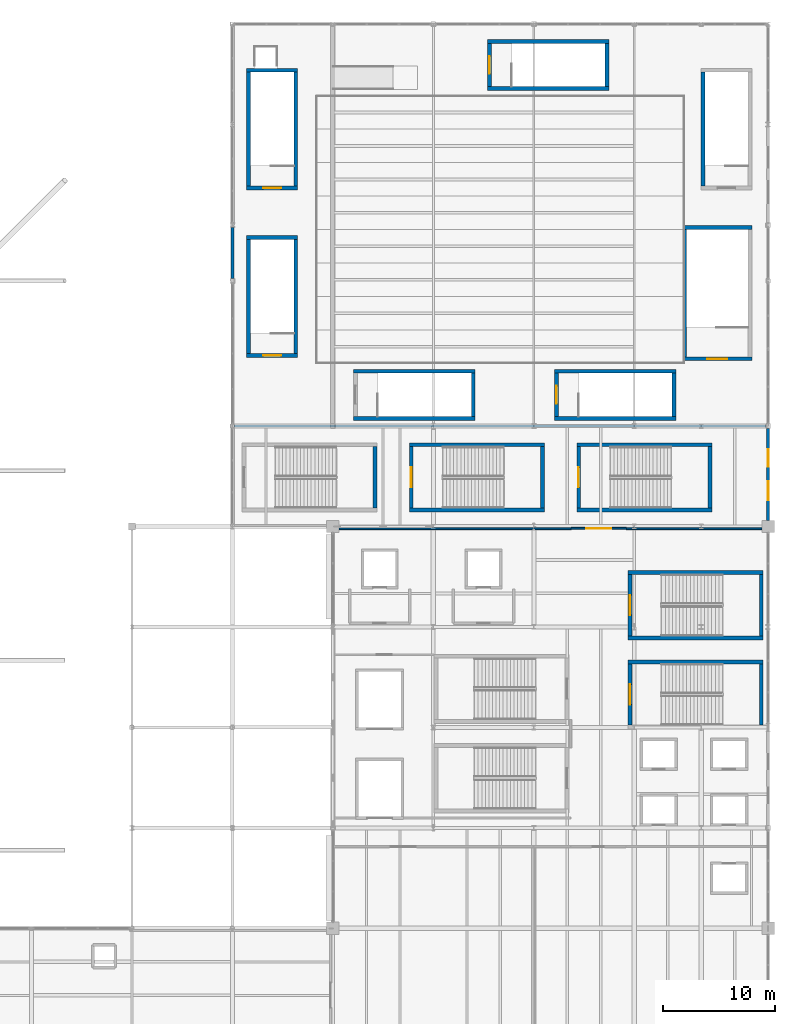
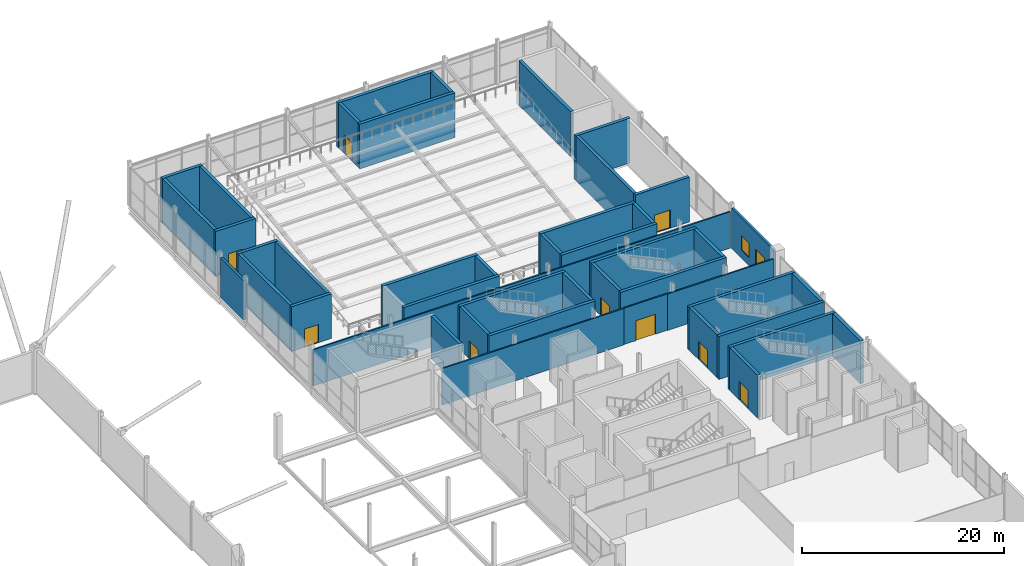
# One storey, part 95 of 119: 45 walls, 10 doors, 2 windows, 12 openings.
"""IFC4 building model written with IfcOpenShell, lengths in metres."""

from ifc_helpers import new_model, si_unit, direction, frame, frame_2d, origin, place, context, subcontext, project, spatial, rectangle, extrude, material, layer, layer_set, type_object, element, fill, save


model = new_model("IFC4")

# Units and contexts
model_context = context("Model", 3, precision=1e-05, world=origin(), true_north=direction((0.0, 1.0)))
body_context = subcontext(model_context, "Body", "Model", "MODEL_VIEW")
ifc_project = project(units=[si_unit("LENGTHUNIT", "METRE"), si_unit("AREAUNIT", "SQUARE_METRE"), si_unit("VOLUMEUNIT", "CUBIC_METRE"), si_unit("PLANEANGLEUNIT", "RADIAN"), si_unit("MASSUNIT", "GRAM", prefix="KILO")], contexts=[model_context])

# Site, building, storey
site_placement = place(None, origin())
site = spatial("IfcSite", under=ifc_project, at=site_placement, CompositionType="ELEMENT")
building_placement = place(site_placement, origin())
building = spatial("IfcBuilding", under=site, at=building_placement, Name="Qamarlyn Nura Convention Centre", CompositionType="ELEMENT")
storey_placement = place(building_placement, frame((0.0, 0.0, 5.39990234375)))
storey = spatial("IfcBuildingStorey", under=building, at=storey_placement, Name="L01", CompositionType="ELEMENT", Elevation=5.39990234375)

# Wall
ifc_material_1 = material(Name="Concrete C50/60", Category="concrete")
ifc_layer_1 = layer(ifc_material_1, 0.35009765625, Name="WT-CORE-350")
ifc_layer_set_1 = layer_set([ifc_layer_1], Name="Concrete C50/60")
wall_type_1 = type_object("IfcWallType", Name="WT-CORE-350", PredefinedType="SHEAR", material=ifc_layer_set_1)
wall_1_placement = place(storey_placement, frame((191.550048828125, 68.875, 0.0), z_axis=(0.0, 0.0, 1.0), x_axis=(-1.0, 0.0, 0.0)))
element("IfcWall", 1, at=wall_1_placement, inside=storey, type_object=wall_type_1, Name="L01 stair core shear wall ST-13-N", PredefinedType="SHEAR", context=body_context, shape_type="SweptSolid", body=[
    extrude(rectangle(XDim=12.10009765625, YDim=0.35009765625, at=frame_2d((6.050048828125, 0.0))), origin(), (0.0, 0.0, 1.0), 5.18017578125),
])

# Wall, opening, door
wall_2_placement = place(storey_placement, frame((179.625, 68.699951171875, 0.0), z_axis=(0.0, 0.0, 1.0), x_axis=(0.0, -1.0, 0.0)))
wall_2 = element("IfcWall", 2, at=wall_2_placement, inside=storey, type_object=wall_type_1, Name="L01 stair core shear wall ST-13-W", PredefinedType="SHEAR", context=body_context, shape_type="SweptSolid", body=[
    extrude(rectangle(XDim=5.5, YDim=0.35009765625, at=frame_2d((2.75, 0.0))), origin(), (0.0, 0.0, 1.0), 5.18017578125),
])
opening_1_placement = place(wall_2_placement, frame((1.85009765625, 0.0, 0.0)))
opening_1 = element("IfcOpeningElement", 3, at=opening_1_placement, cuts=wall_2, Name="Opening DS-059", PredefinedType="OPENING", context=body_context, shape_type="SweptSolid", body=[
    extrude(rectangle(XDim=1.800048828125, YDim=2.199951171875, at=frame_2d((0.89990234375, 1.10009765625))), frame((0.0, 0.18505859375, 0.0), z_axis=(0.0, -1.0, 0.0), x_axis=(1.0, 0.0, 0.0)), (0.0, 0.0, 1.0), 0.3701171875),
])
ifc_material_2 = material(Name="Galvanised fire-rated hollow steel door", Category="steel")
door_type_1 = type_object("IfcDoorType", Name="DR-STAIR-1800", OperationType="DOUBLE_DOOR_SINGLE_SWING", PredefinedType="DOOR", material=ifc_material_2)
door_1_placement = place(opening_1_placement, origin())
door_1 = element("IfcDoor", 4, at=door_1_placement, inside=storey, type_object=door_type_1, Name="L01 exit stair door ST-13 (DS-059)", OperationType="DOUBLE_DOOR_SINGLE_SWING", OverallHeight=2.199951171875, OverallWidth=1.800048828125, PredefinedType="DOOR", context=body_context, shape_type="SweptSolid", body=[
    extrude(rectangle(XDim=1.800048828125, YDim=2.199951171875, at=frame_2d((0.89990234375, 1.10009765625))), frame((0.0, 0.02490234375, 0.0), z_axis=(0.0, -1.0, 0.0), x_axis=(1.0, 0.0, 0.0)), (0.0, 0.0, 1.0), 0.050048828125),
])
fill(opening_1, door_1)

# Walls
wall_3_placement = place(storey_placement, frame((191.375, 63.199951171875, 0.0), z_axis=(0.0, 0.0, 1.0), x_axis=(0.0, 1.0, 0.0)))
element("IfcWall", 5, at=wall_3_placement, inside=storey, type_object=wall_type_1, Name="L01 stair core shear wall ST-13-E", PredefinedType="SHEAR", context=body_context, shape_type="SweptSolid", body=[
    extrude(rectangle(XDim=5.5, YDim=0.35009765625, at=frame_2d((2.75, 0.0))), origin(), (0.0, 0.0, 1.0), 5.18017578125),
])
for number, where, z_axis, x_axis, name in (
    (6, (179.449951171875, 71.02490234375, 0.0), (0.0, 0.0, 1.0), (1.0, 0.0, 0.0), "L01 stair core shear wall ST-14-S"),
    (7, (191.550048828125, 76.875, 0.0), (0.0, 0.0, 1.0), (-1.0, 0.0, 0.0), "L01 stair core shear wall ST-14-N"),
):
    element("IfcWall", number, at=place(storey_placement, frame(where, z_axis=z_axis, x_axis=x_axis)), inside=storey, type_object=wall_type_1, Name=name, PredefinedType="SHEAR", context=body_context, shape_type="SweptSolid", body=[
        extrude(rectangle(XDim=12.10009765625, YDim=0.35009765625, at=frame_2d((6.050048828125, 0.0))), origin(), (0.0, 0.0, 1.0), 5.18017578125),
    ])

# Wall, opening, door
wall_4_placement = place(storey_placement, frame((179.625, 76.699951171875, 0.0), z_axis=(0.0, 0.0, 1.0), x_axis=(0.0, -1.0, 0.0)))
wall_4 = element("IfcWall", 8, at=wall_4_placement, inside=storey, type_object=wall_type_1, Name="L01 stair core shear wall ST-14-W", PredefinedType="SHEAR", context=body_context, shape_type="SweptSolid", body=[
    extrude(rectangle(XDim=5.5, YDim=0.35009765625, at=frame_2d((2.75, 0.0))), origin(), (0.0, 0.0, 1.0), 5.18017578125),
])
opening_2_placement = place(wall_4_placement, frame((1.85009765625, 0.0, 0.0)))
opening_2 = element("IfcOpeningElement", 9, at=opening_2_placement, cuts=wall_4, Name="Opening DS-066", PredefinedType="OPENING", context=body_context, shape_type="SweptSolid", body=[
    extrude(rectangle(XDim=1.800048828125, YDim=2.199951171875, at=frame_2d((0.89990234375, 1.10009765625))), frame((0.0, 0.18505859375, 0.0), z_axis=(0.0, -1.0, 0.0), x_axis=(1.0, 0.0, 0.0)), (0.0, 0.0, 1.0), 0.3701171875),
])
door_2_placement = place(opening_2_placement, origin())
door_2 = element("IfcDoor", 10, at=door_2_placement, inside=storey, type_object=door_type_1, Name="L01 exit stair door ST-14 (DS-066)", OperationType="DOUBLE_DOOR_SINGLE_SWING", OverallHeight=2.199951171875, OverallWidth=1.800048828125, PredefinedType="DOOR", context=body_context, shape_type="SweptSolid", body=[
    extrude(rectangle(XDim=1.800048828125, YDim=2.199951171875, at=frame_2d((0.89990234375, 1.10009765625))), frame((0.0, 0.02490234375, 0.0), z_axis=(0.0, -1.0, 0.0), x_axis=(1.0, 0.0, 0.0)), (0.0, 0.0, 1.0), 0.050048828125),
])
fill(opening_2, door_2)

# Walls
for number, where, z_axis, x_axis, name in (
    (11, (191.375, 71.199951171875, 0.0), (0.0, 0.0, 1.0), (0.0, 1.0, 0.0), "L01 stair core shear wall ST-14-E"),
    (12, (156.77490234375, 82.64990234375, 0.0), (0.0, 0.0, 1.0), (0.0, 1.0, 0.0), "L01 stair core shear wall ST-15-E"),
):
    element("IfcWall", number, at=place(storey_placement, frame(where, z_axis=z_axis, x_axis=x_axis)), inside=storey, type_object=wall_type_1, Name=name, PredefinedType="SHEAR", context=body_context, shape_type="SweptSolid", body=[
        extrude(rectangle(XDim=5.5, YDim=0.35009765625, at=frame_2d((2.75, 0.0))), origin(), (0.0, 0.0, 1.0), 5.18017578125),
    ])
for number, where, z_axis, x_axis, name in (
    (13, (159.85009765625, 82.47509765625, 0.0), (0.0, 0.0, 1.0), (1.0, 0.0, 0.0), "L01 stair core shear wall ST-16-S"),
    (14, (171.949951171875, 88.324951171875, 0.0), (0.0, 0.0, 1.0), (-1.0, 0.0, 0.0), "L01 stair core shear wall ST-16-N"),
):
    element("IfcWall", number, at=place(storey_placement, frame(where, z_axis=z_axis, x_axis=x_axis)), inside=storey, type_object=wall_type_1, Name=name, PredefinedType="SHEAR", context=body_context, shape_type="SweptSolid", body=[
        extrude(rectangle(XDim=12.099853515625, YDim=0.35009765625, at=frame_2d((6.0498046875, 0.0))), origin(), (0.0, 0.0, 1.0), 5.18017578125),
    ])

# Wall, opening, door
wall_5_placement = place(storey_placement, frame((160.02490234375, 88.14990234375, 0.0), z_axis=(0.0, 0.0, 1.0), x_axis=(0.0, -1.0, 0.0)))
wall_5 = element("IfcWall", 15, at=wall_5_placement, inside=storey, type_object=wall_type_1, Name="L01 stair core shear wall ST-16-W", PredefinedType="SHEAR", context=body_context, shape_type="SweptSolid", body=[
    extrude(rectangle(XDim=5.5, YDim=0.35009765625, at=frame_2d((2.75, 0.0))), origin(), (0.0, 0.0, 1.0), 5.18017578125),
])
opening_3_placement = place(wall_5_placement, frame((1.85009765625, 0.0, 0.0)))
opening_3 = element("IfcOpeningElement", 16, at=opening_3_placement, cuts=wall_5, Name="Opening DS-079", PredefinedType="OPENING", context=body_context, shape_type="SweptSolid", body=[
    extrude(rectangle(XDim=1.800048828125, YDim=2.199951171875, at=frame_2d((0.89990234375, 1.10009765625))), frame((0.0, 0.18505859375, 0.0), z_axis=(0.0, -1.0, 0.0), x_axis=(1.0, 0.0, 0.0)), (0.0, 0.0, 1.0), 0.3701171875),
])
door_3_placement = place(opening_3_placement, origin())
door_3 = element("IfcDoor", 17, at=door_3_placement, inside=storey, type_object=door_type_1, Name="L01 exit stair door ST-16 (DS-079)", OperationType="DOUBLE_DOOR_SINGLE_SWING", OverallHeight=2.199951171875, OverallWidth=1.800048828125, PredefinedType="DOOR", context=body_context, shape_type="SweptSolid", body=[
    extrude(rectangle(XDim=1.800048828125, YDim=2.199951171875, at=frame_2d((0.89990234375, 1.10009765625))), frame((0.0, 0.02490234375, 0.0), z_axis=(0.0, -1.0, 0.0), x_axis=(1.0, 0.0, 0.0)), (0.0, 0.0, 1.0), 0.050048828125),
])
fill(opening_3, door_3)

# Walls
wall_6_placement = place(storey_placement, frame((171.77490234375, 82.64990234375, 0.0), z_axis=(0.0, 0.0, 1.0), x_axis=(0.0, 1.0, 0.0)))
element("IfcWall", 18, at=wall_6_placement, inside=storey, type_object=wall_type_1, Name="L01 stair core shear wall ST-16-E", PredefinedType="SHEAR", context=body_context, shape_type="SweptSolid", body=[
    extrude(rectangle(XDim=5.5, YDim=0.35009765625, at=frame_2d((2.75, 0.0))), origin(), (0.0, 0.0, 1.0), 5.18017578125),
])
for number, where, z_axis, x_axis, name in (
    (19, (174.85009765625, 82.47509765625, 0.0), (0.0, 0.0, 1.0), (1.0, 0.0, 0.0), "L01 stair core shear wall ST-17-S"),
    (20, (186.949951171875, 88.324951171875, 0.0), (0.0, 0.0, 1.0), (-1.0, 0.0, 0.0), "L01 stair core shear wall ST-17-N"),
):
    element("IfcWall", number, at=place(storey_placement, frame(where, z_axis=z_axis, x_axis=x_axis)), inside=storey, type_object=wall_type_1, Name=name, PredefinedType="SHEAR", context=body_context, shape_type="SweptSolid", body=[
        extrude(rectangle(XDim=12.099853515625, YDim=0.35009765625, at=frame_2d((6.0498046875, 0.0))), origin(), (0.0, 0.0, 1.0), 5.18017578125),
    ])

# Wall, opening, door
wall_7_placement = place(storey_placement, frame((175.02490234375, 88.14990234375, 0.0), z_axis=(0.0, 0.0, 1.0), x_axis=(0.0, -1.0, 0.0)))
wall_7 = element("IfcWall", 21, at=wall_7_placement, inside=storey, type_object=wall_type_1, Name="L01 stair core shear wall ST-17-W", PredefinedType="SHEAR", context=body_context, shape_type="SweptSolid", body=[
    extrude(rectangle(XDim=5.5, YDim=0.35009765625, at=frame_2d((2.75, 0.0))), origin(), (0.0, 0.0, 1.0), 5.18017578125),
])
opening_4_placement = place(wall_7_placement, frame((1.85009765625, 0.0, 0.0)))
opening_4 = element("IfcOpeningElement", 22, at=opening_4_placement, cuts=wall_7, Name="Opening DS-084", PredefinedType="OPENING", context=body_context, shape_type="SweptSolid", body=[
    extrude(rectangle(XDim=1.800048828125, YDim=2.199951171875, at=frame_2d((0.89990234375, 1.10009765625))), frame((0.0, 0.18505859375, 0.0), z_axis=(0.0, -1.0, 0.0), x_axis=(1.0, 0.0, 0.0)), (0.0, 0.0, 1.0), 0.3701171875),
])
door_4_placement = place(opening_4_placement, origin())
door_4 = element("IfcDoor", 23, at=door_4_placement, inside=storey, type_object=door_type_1, Name="L01 exit stair door ST-17 (DS-084)", OperationType="DOUBLE_DOOR_SINGLE_SWING", OverallHeight=2.199951171875, OverallWidth=1.800048828125, PredefinedType="DOOR", context=body_context, shape_type="SweptSolid", body=[
    extrude(rectangle(XDim=1.800048828125, YDim=2.199951171875, at=frame_2d((0.89990234375, 1.10009765625))), frame((0.0, 0.02490234375, 0.0), z_axis=(0.0, -1.0, 0.0), x_axis=(1.0, 0.0, 0.0)), (0.0, 0.0, 1.0), 0.050048828125),
])
fill(opening_4, door_4)

# Wall
wall_8_placement = place(storey_placement, frame((186.77490234375, 82.64990234375, 0.0), z_axis=(0.0, 0.0, 1.0), x_axis=(0.0, 1.0, 0.0)))
element("IfcWall", 24, at=wall_8_placement, inside=storey, type_object=wall_type_1, Name="L01 stair core shear wall ST-17-E", PredefinedType="SHEAR", context=body_context, shape_type="SweptSolid", body=[
    extrude(rectangle(XDim=5.5, YDim=0.35009765625, at=frame_2d((2.75, 0.0))), origin(), (0.0, 0.0, 1.0), 5.18017578125),
])

# Wall, opening, door
wall_9_placement = place(storey_placement, frame((184.35009765625, 96.02490234375, 0.0), z_axis=(0.0, 0.0, 1.0), x_axis=(1.0, 0.0, 0.0)))
wall_9 = element("IfcWall", 25, at=wall_9_placement, inside=storey, type_object=wall_type_1, Name="L01 stair core shear wall ST-18-S", PredefinedType="SHEAR", context=body_context, shape_type="SweptSolid", body=[
    extrude(rectangle(XDim=6.199951171875, YDim=0.35009765625, at=frame_2d((3.10009765625, 0.0))), origin(), (0.0, 0.0, 1.0), 5.400146484375),
])
opening_5_placement = place(wall_9_placement, frame((2.199951171875, 0.0, 0.0)))
opening_5 = element("IfcOpeningElement", 26, at=opening_5_placement, cuts=wall_9, Name="Opening DS-090", PredefinedType="OPENING", context=body_context, shape_type="SweptSolid", body=[
    extrude(rectangle(XDim=1.800048828125, YDim=2.199951171875, at=frame_2d((0.89990234375, 1.10009765625))), frame((0.0, 0.18505859375, 0.0), z_axis=(0.0, -1.0, 0.0), x_axis=(1.0, 0.0, 0.0)), (0.0, 0.0, 1.0), 0.3701171875),
])
door_5_placement = place(opening_5_placement, origin())
door_5 = element("IfcDoor", 27, at=door_5_placement, inside=storey, type_object=door_type_1, Name="L01 exit stair door ST-18 (DS-090)", OperationType="DOUBLE_DOOR_SINGLE_SWING", OverallHeight=2.199951171875, OverallWidth=1.800048828125, PredefinedType="DOOR", context=body_context, shape_type="SweptSolid", body=[
    extrude(rectangle(XDim=1.800048828125, YDim=2.199951171875, at=frame_2d((0.89990234375, 1.10009765625))), frame((0.0, 0.02490234375, 0.0), z_axis=(0.0, -1.0, 0.0), x_axis=(1.0, 0.0, 0.0)), (0.0, 0.0, 1.0), 0.050048828125),
])
fill(opening_5, door_5)

# Walls
wall_10_placement = place(storey_placement, frame((190.550048828125, 107.77490234375, 0.0), z_axis=(0.0, 0.0, 1.0), x_axis=(-1.0, 0.0, 0.0)))
element("IfcWall", 28, at=wall_10_placement, inside=storey, type_object=wall_type_1, Name="L01 stair core shear wall ST-18-N", PredefinedType="SHEAR", context=body_context, shape_type="SweptSolid", body=[
    extrude(rectangle(XDim=6.199951171875, YDim=0.35009765625, at=frame_2d((3.10009765625, 0.0))), origin(), (0.0, 0.0, 1.0), 5.400146484375),
])
wall_11_placement = place(storey_placement, frame((184.52490234375, 107.60009765625, 0.0), z_axis=(0.0, 0.0, 1.0), x_axis=(0.0, -1.0, 0.0)))
element("IfcWall", 29, at=wall_11_placement, inside=storey, type_object=wall_type_1, Name="L01 stair core shear wall ST-18-W", PredefinedType="SHEAR", context=body_context, shape_type="SweptSolid", body=[
    extrude(rectangle(XDim=11.400146484375, YDim=0.35009765625, at=frame_2d((5.7001953125, 0.0))), origin(), (0.0, 0.0, 1.0), 5.400146484375),
])

# Wall, opening, door
wall_12_placement = place(storey_placement, frame((145.27001953125, 96.324951171875, 0.0), z_axis=(0.0, 0.0, 1.0), x_axis=(1.0, 0.0, 0.0)))
wall_12 = element("IfcWall", 30, at=wall_12_placement, inside=storey, type_object=wall_type_1, Name="L01 stair core shear wall ST-VOM1-S", PredefinedType="SHEAR", context=body_context, shape_type="SweptSolid", body=[
    extrude(rectangle(XDim=4.580078125, YDim=0.35009765625, at=frame_2d((2.2900390625, 0.0))), origin(), (0.0, 0.0, 1.0), 5.400146484375),
])
opening_6_placement = place(wall_12_placement, frame((1.489990234375, 0.0, 0.0)))
opening_6 = element("IfcOpeningElement", 31, at=opening_6_placement, cuts=wall_12, Name="Opening DS-092", PredefinedType="OPENING", context=body_context, shape_type="SweptSolid", body=[
    extrude(rectangle(XDim=1.60009765625, YDim=2.199951171875, at=frame_2d((0.800048828125, 1.10009765625))), frame((0.0, 0.18505859375, 0.0), z_axis=(0.0, -1.0, 0.0), x_axis=(1.0, 0.0, 0.0)), (0.0, 0.0, 1.0), 0.3701171875),
])
door_type_2 = type_object("IfcDoorType", Name="DR-STAIR-1600", OperationType="DOUBLE_DOOR_SINGLE_SWING", PredefinedType="DOOR", material=ifc_material_2)
door_6_placement = place(opening_6_placement, origin())
door_6 = element("IfcDoor", 32, at=door_6_placement, inside=storey, type_object=door_type_2, Name="L01 exit stair door ST-VOM1 (DS-092)", OperationType="DOUBLE_DOOR_SINGLE_SWING", OverallHeight=2.199951171875, OverallWidth=1.60009765625, PredefinedType="DOOR", context=body_context, shape_type="SweptSolid", body=[
    extrude(rectangle(XDim=1.60009765625, YDim=2.199951171875, at=frame_2d((0.800048828125, 1.10009765625))), frame((0.0, 0.02490234375, 0.0), z_axis=(0.0, -1.0, 0.0), x_axis=(1.0, 0.0, 0.0)), (0.0, 0.0, 1.0), 0.050048828125),
])
fill(opening_6, door_6)

# Walls
wall_13_placement = place(storey_placement, frame((149.85009765625, 106.875, 0.0), z_axis=(0.0, 0.0, 1.0), x_axis=(-1.0, 0.0, 0.0)))
element("IfcWall", 33, at=wall_13_placement, inside=storey, type_object=wall_type_1, Name="L01 stair core shear wall ST-VOM1-N", PredefinedType="SHEAR", context=body_context, shape_type="SweptSolid", body=[
    extrude(rectangle(XDim=4.580078125, YDim=0.35009765625, at=frame_2d((2.2900390625, 0.0))), origin(), (0.0, 0.0, 1.0), 5.400146484375),
])
for number, where, z_axis, x_axis, name in (
    (34, (145.445068359375, 106.699951171875, 0.0), (0.0, 0.0, 1.0), (0.0, -1.0, 0.0), "L01 stair core shear wall ST-VOM1-W"),
    (35, (149.675048828125, 96.5, 0.0), (0.0, 0.0, 1.0), (0.0, 1.0, 0.0), "L01 stair core shear wall ST-VOM1-E"),
):
    element("IfcWall", number, at=place(storey_placement, frame(where, z_axis=z_axis, x_axis=x_axis)), inside=storey, type_object=wall_type_1, Name=name, PredefinedType="SHEAR", context=body_context, shape_type="SweptSolid", body=[
        extrude(rectangle(XDim=10.199951171875, YDim=0.35009765625, at=frame_2d((5.10009765625, 0.0))), origin(), (0.0, 0.0, 1.0), 5.400146484375),
    ])

# Wall, opening, door
wall_14_placement = place(storey_placement, frame((145.27001953125, 111.324951171875, 0.0), z_axis=(0.0, 0.0, 1.0), x_axis=(1.0, 0.0, 0.0)))
wall_14 = element("IfcWall", 36, at=wall_14_placement, inside=storey, type_object=wall_type_1, Name="L01 stair core shear wall ST-VOM2-S", PredefinedType="SHEAR", context=body_context, shape_type="SweptSolid", body=[
    extrude(rectangle(XDim=4.580078125, YDim=0.35009765625, at=frame_2d((2.2900390625, 0.0))), origin(), (0.0, 0.0, 1.0), 5.400146484375),
])
opening_7_placement = place(wall_14_placement, frame((1.489990234375, 0.0, 0.0)))
opening_7 = element("IfcOpeningElement", 37, at=opening_7_placement, cuts=wall_14, Name="Opening DS-094", PredefinedType="OPENING", context=body_context, shape_type="SweptSolid", body=[
    extrude(rectangle(XDim=1.60009765625, YDim=2.199951171875, at=frame_2d((0.800048828125, 1.10009765625))), frame((0.0, 0.18505859375, 0.0), z_axis=(0.0, -1.0, 0.0), x_axis=(1.0, 0.0, 0.0)), (0.0, 0.0, 1.0), 0.3701171875),
])
door_7_placement = place(opening_7_placement, origin())
door_7 = element("IfcDoor", 38, at=door_7_placement, inside=storey, type_object=door_type_2, Name="L01 exit stair door ST-VOM2 (DS-094)", OperationType="DOUBLE_DOOR_SINGLE_SWING", OverallHeight=2.199951171875, OverallWidth=1.60009765625, PredefinedType="DOOR", context=body_context, shape_type="SweptSolid", body=[
    extrude(rectangle(XDim=1.60009765625, YDim=2.199951171875, at=frame_2d((0.800048828125, 1.10009765625))), frame((0.0, 0.02490234375, 0.0), z_axis=(0.0, -1.0, 0.0), x_axis=(1.0, 0.0, 0.0)), (0.0, 0.0, 1.0), 0.050048828125),
])
fill(opening_7, door_7)

# Walls
wall_15_placement = place(storey_placement, frame((149.85009765625, 121.875, 0.0), z_axis=(0.0, 0.0, 1.0), x_axis=(-1.0, 0.0, 0.0)))
element("IfcWall", 39, at=wall_15_placement, inside=storey, type_object=wall_type_1, Name="L01 stair core shear wall ST-VOM2-N", PredefinedType="SHEAR", context=body_context, shape_type="SweptSolid", body=[
    extrude(rectangle(XDim=4.580078125, YDim=0.35009765625, at=frame_2d((2.2900390625, 0.0))), origin(), (0.0, 0.0, 1.0), 5.400146484375),
])
for number, where, z_axis, x_axis, name in (
    (40, (145.445068359375, 121.699951171875, 0.0), (0.0, 0.0, 1.0), (0.0, -1.0, 0.0), "L01 stair core shear wall ST-VOM2-W"),
    (41, (149.675048828125, 111.5, 0.0), (0.0, 0.0, 1.0), (0.0, 1.0, 0.0), "L01 stair core shear wall ST-VOM2-E"),
):
    element("IfcWall", number, at=place(storey_placement, frame(where, z_axis=z_axis, x_axis=x_axis)), inside=storey, type_object=wall_type_1, Name=name, PredefinedType="SHEAR", context=body_context, shape_type="SweptSolid", body=[
        extrude(rectangle(XDim=10.199951171875, YDim=0.35009765625, at=frame_2d((5.10009765625, 0.0))), origin(), (0.0, 0.0, 1.0), 5.400146484375),
    ])
for number, where, z_axis, x_axis, name in (
    (42, (154.85009765625, 90.675048828125, 0.0), (0.0, 0.0, 1.0), (1.0, 0.0, 0.0), "L01 stair core shear wall ST-VOM3-S"),
    (43, (165.75, 94.905029296875, 0.0), (0.0, 0.0, 1.0), (-1.0, 0.0, 0.0), "L01 stair core shear wall ST-VOM3-N"),
):
    element("IfcWall", number, at=place(storey_placement, frame(where, z_axis=z_axis, x_axis=x_axis)), inside=storey, type_object=wall_type_1, Name=name, PredefinedType="SHEAR", context=body_context, shape_type="SweptSolid", body=[
        extrude(rectangle(XDim=10.89990234375, YDim=0.35009765625, at=frame_2d((5.449951171875, 0.0))), origin(), (0.0, 0.0, 1.0), 5.400146484375),
    ])
wall_16_placement = place(storey_placement, frame((165.574951171875, 90.85009765625, 0.0), z_axis=(0.0, 0.0, 1.0), x_axis=(0.0, 1.0, 0.0)))
element("IfcWall", 44, at=wall_16_placement, inside=storey, type_object=wall_type_1, Name="L01 stair core shear wall ST-VOM3-E", PredefinedType="SHEAR", context=body_context, shape_type="SweptSolid", body=[
    extrude(rectangle(XDim=3.8798828125, YDim=0.35009765625, at=frame_2d((1.93994140625, 0.0))), origin(), (0.0, 0.0, 1.0), 5.400146484375),
])
for number, where, z_axis, x_axis, name in (
    (45, (172.85009765625, 90.675048828125, 0.0), (0.0, 0.0, 1.0), (1.0, 0.0, 0.0), "L01 stair core shear wall ST-VOM4-S"),
    (46, (183.75, 94.905029296875, 0.0), (0.0, 0.0, 1.0), (-1.0, 0.0, 0.0), "L01 stair core shear wall ST-VOM4-N"),
):
    element("IfcWall", number, at=place(storey_placement, frame(where, z_axis=z_axis, x_axis=x_axis)), inside=storey, type_object=wall_type_1, Name=name, PredefinedType="SHEAR", context=body_context, shape_type="SweptSolid", body=[
        extrude(rectangle(XDim=10.89990234375, YDim=0.35009765625, at=frame_2d((5.449951171875, 0.0))), origin(), (0.0, 0.0, 1.0), 5.400146484375),
    ])

# Wall, opening, door
wall_17_placement = place(storey_placement, frame((173.02490234375, 94.72998046875, 0.0), z_axis=(0.0, 0.0, 1.0), x_axis=(0.0, -1.0, 0.0)))
wall_17 = element("IfcWall", 47, at=wall_17_placement, inside=storey, type_object=wall_type_1, Name="L01 stair core shear wall ST-VOM4-W", PredefinedType="SHEAR", context=body_context, shape_type="SweptSolid", body=[
    extrude(rectangle(XDim=3.8798828125, YDim=0.35009765625, at=frame_2d((1.93994140625, 0.0))), origin(), (0.0, 0.0, 1.0), 5.400146484375),
])
opening_8_placement = place(wall_17_placement, frame((1.139892578125, 0.0, 0.0)))
opening_8 = element("IfcOpeningElement", 48, at=opening_8_placement, cuts=wall_17, Name="Opening DS-098", PredefinedType="OPENING", context=body_context, shape_type="SweptSolid", body=[
    extrude(rectangle(XDim=1.60009765625, YDim=2.199951171875, at=frame_2d((0.800048828125, 1.10009765625))), frame((0.0, 0.18505859375, 0.0), z_axis=(0.0, -1.0, 0.0), x_axis=(1.0, 0.0, 0.0)), (0.0, 0.0, 1.0), 0.3701171875),
])
door_8_placement = place(opening_8_placement, origin())
door_8 = element("IfcDoor", 49, at=door_8_placement, inside=storey, type_object=door_type_2, Name="L01 exit stair door ST-VOM4 (DS-098)", OperationType="DOUBLE_DOOR_SINGLE_SWING", OverallHeight=2.199951171875, OverallWidth=1.60009765625, PredefinedType="DOOR", context=body_context, shape_type="SweptSolid", body=[
    extrude(rectangle(XDim=1.60009765625, YDim=2.199951171875, at=frame_2d((0.800048828125, 1.10009765625))), frame((0.0, 0.02490234375, 0.0), z_axis=(0.0, -1.0, 0.0), x_axis=(1.0, 0.0, 0.0)), (0.0, 0.0, 1.0), 0.050048828125),
])
fill(opening_8, door_8)

# Walls
wall_18_placement = place(storey_placement, frame((183.574951171875, 90.85009765625, 0.0), z_axis=(0.0, 0.0, 1.0), x_axis=(0.0, 1.0, 0.0)))
element("IfcWall", 50, at=wall_18_placement, inside=storey, type_object=wall_type_1, Name="L01 stair core shear wall ST-VOM4-E", PredefinedType="SHEAR", context=body_context, shape_type="SweptSolid", body=[
    extrude(rectangle(XDim=3.8798828125, YDim=0.35009765625, at=frame_2d((1.93994140625, 0.0))), origin(), (0.0, 0.0, 1.0), 5.400146484375),
])
for number, where, z_axis, x_axis, name in (
    (51, (166.85009765625, 120.22509765625, 0.0), (0.0, 0.0, 1.0), (1.0, 0.0, 0.0), "L01 stair core shear wall ST-VOM5-S"),
    (52, (177.75, 124.455078125, 0.0), (0.0, 0.0, 1.0), (-1.0, 0.0, 0.0), "L01 stair core shear wall ST-VOM5-N"),
):
    element("IfcWall", number, at=place(storey_placement, frame(where, z_axis=z_axis, x_axis=x_axis)), inside=storey, type_object=wall_type_1, Name=name, PredefinedType="SHEAR", context=body_context, shape_type="SweptSolid", body=[
        extrude(rectangle(XDim=10.89990234375, YDim=0.35009765625, at=frame_2d((5.449951171875, 0.0))), origin(), (0.0, 0.0, 1.0), 5.400146484375),
    ])

# Wall, opening, door
wall_19_placement = place(storey_placement, frame((167.02490234375, 124.280029296875, 0.0), z_axis=(0.0, 0.0, 1.0), x_axis=(0.0, -1.0, 0.0)))
wall_19 = element("IfcWall", 53, at=wall_19_placement, inside=storey, type_object=wall_type_1, Name="L01 stair core shear wall ST-VOM5-W", PredefinedType="SHEAR", context=body_context, shape_type="SweptSolid", body=[
    extrude(rectangle(XDim=3.880126953125, YDim=0.35009765625, at=frame_2d((1.93994140625, 0.0))), origin(), (0.0, 0.0, 1.0), 5.400146484375),
])
opening_9_placement = place(wall_19_placement, frame((1.139892578125, 0.0, 0.0)))
opening_9 = element("IfcOpeningElement", 54, at=opening_9_placement, cuts=wall_19, Name="Opening DS-100", PredefinedType="OPENING", context=body_context, shape_type="SweptSolid", body=[
    extrude(rectangle(XDim=1.60009765625, YDim=2.199951171875, at=frame_2d((0.800048828125, 1.10009765625))), frame((0.0, 0.18505859375, 0.0), z_axis=(0.0, -1.0, 0.0), x_axis=(1.0, 0.0, 0.0)), (0.0, 0.0, 1.0), 0.3701171875),
])
door_9_placement = place(opening_9_placement, origin())
door_9 = element("IfcDoor", 55, at=door_9_placement, inside=storey, type_object=door_type_2, Name="L01 exit stair door ST-VOM5 (DS-100)", OperationType="DOUBLE_DOOR_SINGLE_SWING", OverallHeight=2.199951171875, OverallWidth=1.60009765625, PredefinedType="DOOR", context=body_context, shape_type="SweptSolid", body=[
    extrude(rectangle(XDim=1.60009765625, YDim=2.199951171875, at=frame_2d((0.800048828125, 1.10009765625))), frame((0.0, 0.02490234375, 0.0), z_axis=(0.0, -1.0, 0.0), x_axis=(1.0, 0.0, 0.0)), (0.0, 0.0, 1.0), 0.050048828125),
])
fill(opening_9, door_9)

# Walls
wall_20_placement = place(storey_placement, frame((177.574951171875, 120.39990234375, 0.0), z_axis=(0.0, 0.0, 1.0), x_axis=(0.0, 1.0, 0.0)))
element("IfcWall", 56, at=wall_20_placement, inside=storey, type_object=wall_type_1, Name="L01 stair core shear wall ST-VOM5-E", PredefinedType="SHEAR", context=body_context, shape_type="SweptSolid", body=[
    extrude(rectangle(XDim=3.880126953125, YDim=0.35009765625, at=frame_2d((1.93994140625, 0.0))), origin(), (0.0, 0.0, 1.0), 5.400146484375),
])
wall_21_placement = place(storey_placement, frame((186.14501953125, 121.699951171875, 0.0), z_axis=(0.0, 0.0, 1.0), x_axis=(0.0, -1.0, 0.0)))
element("IfcWall", 57, at=wall_21_placement, inside=storey, type_object=wall_type_1, Name="L01 stair core shear wall ST-VOM6-W", PredefinedType="SHEAR", context=body_context, shape_type="SweptSolid", body=[
    extrude(rectangle(XDim=10.199951171875, YDim=0.35009765625, at=frame_2d((5.10009765625, 0.0))), origin(), (0.0, 0.0, 1.0), 5.400146484375),
])

# Wall, openings, windows
ifc_material_3 = material(Name="Concrete C40/50", Category="concrete")
ifc_layer_2 = layer(ifc_material_3, 0.260009765625, Name="WT-EXT-260")
ifc_layer_set_2 = layer_set([ifc_layer_2], Name="Concrete C40/50")
wall_type_2 = type_object("IfcWallType", Name="WT-EXT-260", PredefinedType="SOLIDWALL", material=ifc_layer_set_2)
wall_22_placement = place(storey_placement, frame((192.0, 89.800048828125, 0.0), z_axis=(0.0, 0.0, 1.0), x_axis=(0.0, -1.0, 0.0)))
wall_22 = element("IfcWall", 58, at=wall_22_placement, inside=storey, type_object=wall_type_2, Name="L01 exterior facade wall WEXT-L01-1920-898-1920-816", PredefinedType="SOLIDWALL", context=body_context, shape_type="SweptSolid", body=[
    extrude(rectangle(XDim=8.25, YDim=0.260009765625, at=frame_2d((4.125, 0.0))), origin(), (0.0, 0.0, 1.0), 4.864990234375),
])
opening_10_placement = place(wall_22_placement, frame((1.887451171875, 0.0, 0.949951171875)))
opening_10 = element("IfcOpeningElement", 59, at=opening_10_placement, cuts=wall_22, Name="Opening WN02", PredefinedType="OPENING", context=body_context, shape_type="SweptSolid", body=[
    extrude(rectangle(XDim=1.550048828125, YDim=1.75, at=frame_2d((0.77490234375, 0.875))), frame((0.0, 0.14013671875, 0.0), z_axis=(0.0, -1.0, 0.0), x_axis=(1.0, 0.0, 0.0)), (0.0, 0.0, 1.0), 0.280029296875),
])
opening_11_placement = place(wall_22_placement, frame((4.737548828125, 0.0, 0.949951171875)))
opening_11 = element("IfcOpeningElement", 60, at=opening_11_placement, cuts=wall_22, Name="Opening WN03", PredefinedType="OPENING", context=body_context, shape_type="SweptSolid", body=[
    extrude(rectangle(XDim=1.699951171875, YDim=1.800048828125, at=frame_2d((0.85009765625, 0.89990234375))), frame((0.0, 0.14013671875, 0.0), z_axis=(0.0, -1.0, 0.0), x_axis=(1.0, 0.0, 0.0)), (0.0, 0.0, 1.0), 0.280029296875),
])
ifc_material_4 = material(Name="Double-silver low-E insulated glass", Category="glass")
window_type_1 = type_object("IfcWindowType", Name="WIN-SOL-02", PartitioningType="SINGLE_PANEL", PredefinedType="WINDOW", material=ifc_material_4)
window_1_placement = place(opening_10_placement, origin())
window_1 = element("IfcWindow", 61, at=window_1_placement, inside=storey, type_object=window_type_1, Name="L01 solar-control window 026", OverallHeight=1.75, OverallWidth=1.550048828125, PartitioningType="SINGLE_PANEL", PredefinedType="WINDOW", context=body_context, shape_type="SweptSolid", body=[
    extrude(rectangle(XDim=1.550048828125, YDim=1.75, at=frame_2d((0.77490234375, 0.875))), frame((0.0, 0.030029296875, 0.0), z_axis=(0.0, -1.0, 0.0), x_axis=(1.0, 0.0, 0.0)), (0.0, 0.0, 1.0), 0.06005859375),
])
fill(opening_10, window_1)
window_type_2 = type_object("IfcWindowType", Name="WIN-SOL-03", PartitioningType="SINGLE_PANEL", PredefinedType="WINDOW", material=ifc_material_4)
window_2_placement = place(opening_11_placement, origin())
window_2 = element("IfcWindow", 62, at=window_2_placement, inside=storey, type_object=window_type_2, Name="L01 solar-control window 027", OverallHeight=1.800048828125, OverallWidth=1.699951171875, PartitioningType="SINGLE_PANEL", PredefinedType="WINDOW", context=body_context, shape_type="SweptSolid", body=[
    extrude(rectangle(XDim=1.699951171875, YDim=1.800048828125, at=frame_2d((0.85009765625, 0.89990234375))), frame((0.0, 0.030029296875, 0.0), z_axis=(0.0, -1.0, 0.0), x_axis=(1.0, 0.0, 0.0)), (0.0, 0.0, 1.0), 0.06005859375),
])
fill(opening_11, window_2)

# Walls
ifc_layer_3 = layer(ifc_material_3, 0.280029296875, Name="WT-EXT-280")
ifc_layer_set_3 = layer_set([ifc_layer_3], Name="Concrete C40/50")
wall_type_3 = type_object("IfcWallType", Name="WT-EXT-280", PredefinedType="SOLIDWALL", material=ifc_layer_set_3)
wall_23_placement = place(storey_placement, frame((144.0, 103.199951171875, 0.0), z_axis=(0.0, 0.0, 1.0), x_axis=(0.0, 1.0, 0.0)))
element("IfcWall", 63, at=wall_23_placement, inside=storey, type_object=wall_type_3, Name="L01 exterior facade wall WEXT-L01-1440-1032-1440-1078", PredefinedType="SOLIDWALL", context=body_context, shape_type="SweptSolid", body=[
    extrude(rectangle(XDim=4.603515625, YDim=0.280029296875, at=frame_2d((2.3017578125, 0.0))), origin(), (0.0, 0.0, 1.0), 4.774169921875),
])
ifc_material_5 = material(Name="Fire-rated acoustic gypsum board EI 60")
ifc_layer_4 = layer(ifc_material_5, 0.159912109375, Name="WT-PART-160")
ifc_layer_set_4 = layer_set([ifc_layer_4], Name="Fire-rated acoustic gypsum board EI 60")
wall_type_4 = type_object("IfcWallType", Name="WT-PART-160", PredefinedType="PARTITIONING", material=ifc_layer_set_4)
wall_24_placement = place(storey_placement, frame((191.43994140625, 80.800048828125, 0.0), z_axis=(0.0, 0.0, 1.0), x_axis=(-1.0, 0.0, 0.0)))
element("IfcWall", 64, at=wall_24_placement, inside=storey, type_object=wall_type_4, Name="L01 interior partition L01-PLN-FOY1-2-1", PredefinedType="PARTITIONING", context=body_context, shape_type="SweptSolid", body=[
    extrude(rectangle(XDim=12.14990234375, YDim=0.159912109375, at=frame_2d((6.074951171875, 0.0))), origin(), (0.0, 0.0, 1.0), 4.39208984375),
])

# Wall, opening, door
wall_25_placement = place(storey_placement, frame((179.2900390625, 80.840087890625, 0.0), z_axis=(0.0, 0.0, 1.0), x_axis=(-1.0, 0.0, 0.0)))
wall_25 = element("IfcWall", 65, at=wall_25_placement, inside=storey, type_object=wall_type_4, Name="L01 interior partition L01-PLN-FOY1-19-1", PredefinedType="PARTITIONING", context=body_context, shape_type="SweptSolid", body=[
    extrude(rectangle(XDim=4.93994140625, YDim=0.159912109375, at=frame_2d((2.469970703125, 0.0))), origin(), (0.0, 0.0, 1.0), 4.39208984375),
])
opening_12_placement = place(wall_25_placement, frame((1.344970703125, 0.0, 0.0)))
opening_12 = element("IfcOpeningElement", 66, at=opening_12_placement, cuts=wall_25, Name="Opening D-L01-167", PredefinedType="OPENING", context=body_context, shape_type="SweptSolid", body=[
    extrude(rectangle(XDim=2.25, YDim=2.39990234375, at=frame_2d((1.125, 1.199951171875))), frame((0.0, 0.08984375, 0.0), z_axis=(0.0, -1.0, 0.0), x_axis=(1.0, 0.0, 0.0)), (0.0, 0.0, 1.0), 0.179931640625),
])
ifc_material_6 = material(Name="Acoustic walnut timber leaf", Category="wood")
door_type_3 = type_object("IfcDoorType", Name="DR-HALL-2250", OperationType="DOUBLE_DOOR_SINGLE_SWING", PredefinedType="DOOR", material=ifc_material_6)
door_10_placement = place(opening_12_placement, origin())
door_10 = element("IfcDoor", 67, at=door_10_placement, inside=storey, type_object=door_type_3, Name="L01 Plenary Concourse Foyer door D-L01-167", OperationType="DOUBLE_DOOR_SINGLE_SWING", OverallHeight=2.39990234375, OverallWidth=2.25, PredefinedType="DOOR", context=body_context, shape_type="SweptSolid", body=[
    extrude(rectangle(XDim=2.25, YDim=2.39990234375, at=frame_2d((1.125, 1.199951171875))), frame((0.0, 0.02490234375, 0.0), z_axis=(0.0, -1.0, 0.0), x_axis=(1.0, 0.0, 0.0)), (0.0, 0.0, 1.0), 0.050048828125),
])
fill(opening_12, door_10)

# Walls
wall_26_placement = place(storey_placement, frame((174.35009765625, 80.800048828125, 0.0), z_axis=(0.0, 0.0, 1.0), x_axis=(-1.0, 0.0, 0.0)))
element("IfcWall", 68, at=wall_26_placement, inside=storey, type_object=wall_type_4, Name="L01 interior partition L01-PLN-FOY1-36-1", PredefinedType="PARTITIONING", context=body_context, shape_type="SweptSolid", body=[
    extrude(rectangle(XDim=20.7900390625, YDim=0.159912109375, at=frame_2d((10.39501953125, 0.0))), origin(), (0.0, 0.0, 1.0), 4.39208984375),
])
wall_27_placement = place(storey_placement, frame((144.177001953125, 90.0, 0.0), z_axis=(0.0, 0.0, 1.0), x_axis=(1.0, 0.0, 0.0)))
element("IfcWall", 69, at=wall_27_placement, inside=storey, type_object=wall_type_4, Name="L01 interior partition L01-PLN-FOY1-56-1", PredefinedType="PARTITIONING", context=body_context, shape_type="SweptSolid", body=[
    extrude(rectangle(XDim=47.613037109375, YDim=0.159912109375, at=frame_2d((23.806640625, 0.0))), origin(), (0.0, 0.0, 1.0), 4.39208984375),
])

save(model, "model.ifc")
